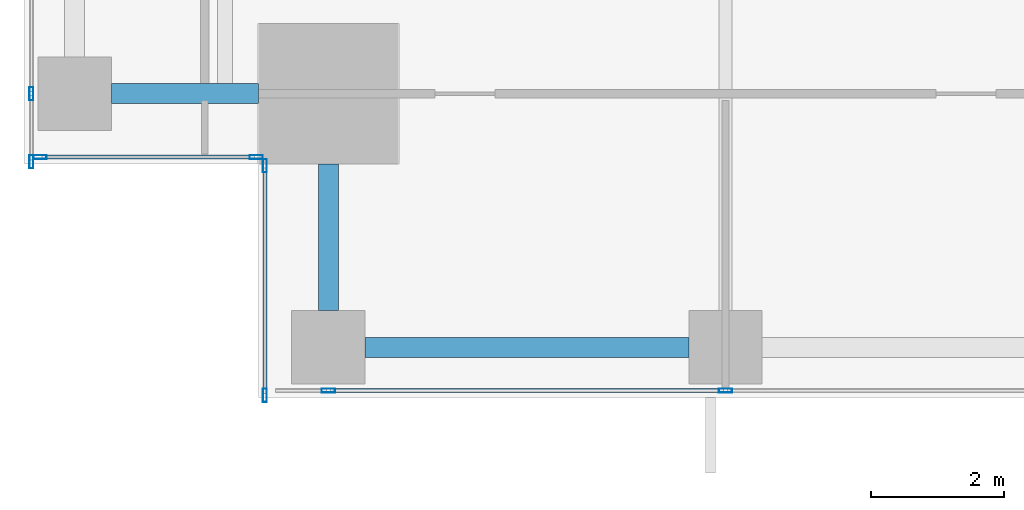
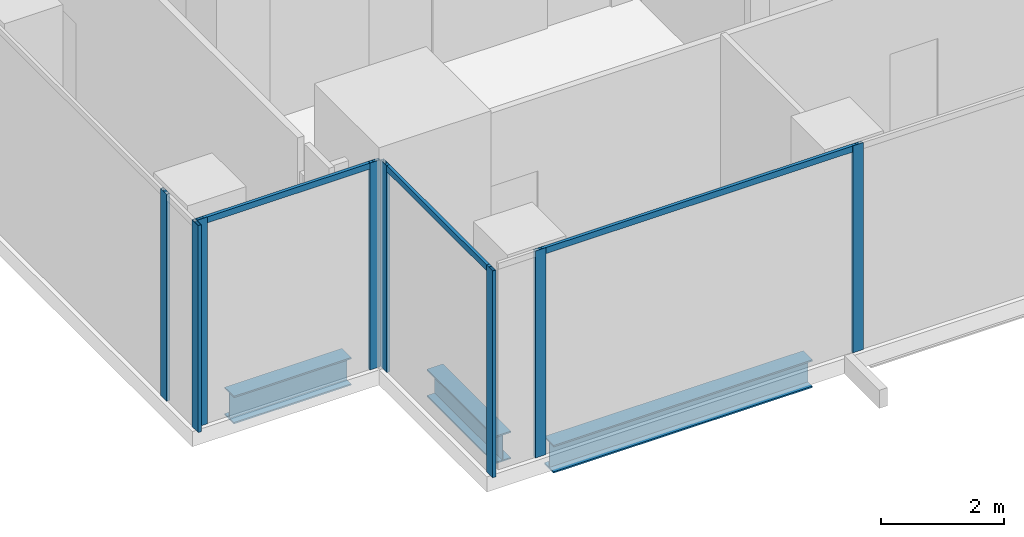
# One storey, part 2 of 34: 11 members, 3 beams, 4 elements without a shape of their own.
"""IFC4 building model written with IfcOpenShell, lengths in metres."""

from ifc_helpers import new_model, si_unit, direction, frame, origin, origin_2d, place, context, subcontext, project, spatial, hollow_rectangle, i_section, extrude, source, transform, mapped, material, material_profile, profile_set, type_object, element, aggregate, save


model = new_model("IFC4")

# Units and contexts
model_context = context("Model", 3, precision=1e-05, world=origin(), true_north=direction((0.0, 1.0)))
body_context = subcontext(model_context, "Body", "Model", "MODEL_VIEW")
ifc_project = project(units=[si_unit("LENGTHUNIT", "METRE"), si_unit("AREAUNIT", "SQUARE_METRE"), si_unit("VOLUMEUNIT", "CUBIC_METRE"), si_unit("PLANEANGLEUNIT", "RADIAN"), si_unit("MASSUNIT", "GRAM", prefix="KILO")], contexts=[model_context])

# Site, building, storey
site_placement = place(None, origin())
site = spatial("IfcSite", under=ifc_project, at=site_placement, CompositionType="ELEMENT")
building_placement = place(site_placement, origin())
building = spatial("IfcBuilding", under=site, at=building_placement, Name="Khomas Fold Tower", CompositionType="ELEMENT")
storey_placement = place(building_placement, frame((0.0, 0.0, 105.89990234375)))
storey = spatial("IfcBuildingStorey", under=building, at=storey_placement, Name="L22", CompositionType="ELEMENT", Elevation=105.89990234375)

# Beams
ifc_material_1 = material(Name="Steel S355", Category="steel")
ifc_material_profile_1 = material_profile(ifc_material_1, i_section(OverallWidth=0.300048828125, OverallDepth=0.550048828125, WebThickness=0.014892578125, FlangeThickness=0.029052734375, at=origin_2d()), Name="HE 550 B")
ifc_profile_set_1 = profile_set([ifc_material_profile_1], Name="Steel S355")
beam_type = type_object("IfcBeamType", Name="HE 550 B spandrel SB2", PredefinedType="SPANDREL", material=ifc_profile_set_1)
shared_shape_1 = source(origin(), body_context, "Body", "SweptSolid", [
    extrude(i_section(OverallWidth=0.300048828125, OverallDepth=0.550048828125, WebThickness=0.014892578125, FlangeThickness=0.029052734375, at=origin_2d()), origin(), (0.0, 0.0, 1.0), 4.849853515625),
])
beam_placement = place(storey_placement, frame((6.60009765625, 2.25, -0.574951171875), z_axis=(1.0, 0.0, 0.0), x_axis=(0.0, 1.0, 0.0)))
element("IfcBeam", 1, at=beam_placement, inside=storey, type_object=beam_type, Name="SB2", PredefinedType="SPANDREL", context=body_context, shape_type="MappedRepresentation", body=[
    mapped(shared_shape_1, transform((0.0, 0.0, 0.0))),
])
shared_shape_2 = source(origin(), body_context, "Body", "SweptSolid", [
    extrude(i_section(OverallWidth=0.300048828125, OverallDepth=0.550048828125, WebThickness=0.014892578125, FlangeThickness=0.029052734375, at=origin_2d()), origin(), (0.0, 0.0, 1.0), 2.199951171875),
])
for number, where, z_axis, x_axis, name in (
    (2, (2.800048828125, 6.050048828125, -0.574951171875), (1.0, 0.0, 0.0), (0.0, 1.0, 0.0), "SB2"),
    (3, (6.050048828125, 2.800048828125, -0.574951171875), (0.0, 1.0, 0.0), (-1.0, 0.0, 0.0), "SB2"),
):
    element("IfcBeam", number, at=place(storey_placement, frame(where, z_axis=z_axis, x_axis=x_axis)), inside=storey, type_object=beam_type, Name=name, PredefinedType="SPANDREL", context=body_context, shape_type="MappedRepresentation", body=[
        mapped(shared_shape_2, transform((0.0, 0.0, 0.0))),
    ])

# Curtain wall, members
ifc_material_2 = material(Name="Aluminium framed double glazing", Category="aluminium")
curtain_wall_type = type_object("IfcCurtainWallType", Name="SK-Unitised clear-glass wall, growing floors CW1", PredefinedType="NOTDEFINED", material=ifc_material_2)
curtain_wall_1_placement = place(storey_placement, origin())
curtain_wall_1 = element("IfcCurtainWall", 4, at=curtain_wall_1_placement, inside=storey, type_object=curtain_wall_type, Name="CW1 run L22 00-0", PredefinedType="NOTDEFINED")
ifc_material_3 = material(Name="Aluminium", Category="aluminium")
ifc_material_profile_2 = material_profile(ifc_material_3, hollow_rectangle(XDim=0.06005859375, YDim=0.199951171875, WallThickness=0.00390625, at=origin_2d()), Name="SK-Unitised clear-glass wall, growing floors mullion CW1-M")
ifc_profile_set_2 = profile_set([ifc_material_profile_2], Name="Aluminium")
member_type_1 = type_object("IfcMemberType", Name="SK-Unitised clear-glass wall, growing floors mullion CW1-M", PredefinedType="MULLION", material=ifc_profile_set_2)
shared_shape_3 = source(origin(), body_context, "Body", "SweptSolid", [
    extrude(hollow_rectangle(XDim=0.06005859375, YDim=0.199951171875, WallThickness=0.00390625, at=origin_2d()), origin(), (0.0, 0.0, 1.0), 4.10009765625),
])
member_1_placement = place(storey_placement, frame((6.050048828125, 1.60009765625, 0.0), z_axis=(0.0, 0.0, 1.0), x_axis=(0.0, 1.0, 0.0)))
member_1 = element("IfcMember", 5, at=member_1_placement, type_object=member_type_1, Name="CW1 mullion 2", PredefinedType="MULLION", context=body_context, shape_type="MappedRepresentation", body=[
    mapped(shared_shape_3, transform((0.0, 0.0, 0.0))),
])
member_2_placement = place(storey_placement, frame((12.0, 1.60009765625, 0.0), z_axis=(0.0, 0.0, 1.0), x_axis=(0.0, 1.0, 0.0)))
member_2 = element("IfcMember", 6, at=member_2_placement, type_object=member_type_1, Name="CW1 mullion 3", PredefinedType="MULLION", context=body_context, shape_type="MappedRepresentation", body=[
    mapped(shared_shape_3, transform((0.0, 0.0, 0.0))),
])

curtain_wall_2_placement = place(storey_placement, origin())
curtain_wall_2 = element("IfcCurtainWall", 7, at=curtain_wall_2_placement, inside=storey, type_object=curtain_wall_type, Name="CW1 run L22 09-0", PredefinedType="NOTDEFINED")
member_3_placement = place(storey_placement, frame((1.60009765625, 6.050048828125, 0.0), z_axis=(0.0, 0.0, 1.0), x_axis=(1.0, 0.0, 0.0)))
member_3 = element("IfcMember", 8, at=member_3_placement, type_object=member_type_1, Name="CW1 mullion 8", PredefinedType="MULLION", context=body_context, shape_type="MappedRepresentation", body=[
    mapped(shared_shape_3, transform((0.0, 0.0, 0.0))),
])
member_4_placement = place(storey_placement, frame((1.60009765625, 5.030029296875, 0.0), z_axis=(0.0, 0.0, 1.0), x_axis=(1.0, 0.0, 0.0)))
member_4 = element("IfcMember", 9, at=member_4_placement, type_object=member_type_1, Name="CW1 mullion 9", PredefinedType="MULLION", context=body_context, shape_type="MappedRepresentation", body=[
    mapped(shared_shape_3, transform((0.0, 0.0, 0.0))),
])
aggregate(curtain_wall_2, [member_3, member_4])

curtain_wall_3_placement = place(storey_placement, origin())
curtain_wall_3 = element("IfcCurtainWall", 10, at=curtain_wall_3_placement, inside=storey, type_object=curtain_wall_type, Name="CW1 corner return L22 10", PredefinedType="NOTDEFINED")
member_5_placement = place(storey_placement, frame((1.72998046875, 5.10009765625, 0.0), z_axis=(0.0, 0.0, 1.0), x_axis=(0.0, 1.0, 0.0)))
member_5 = element("IfcMember", 11, at=member_5_placement, type_object=member_type_1, Name="CW1 mullion 1", PredefinedType="MULLION", context=body_context, shape_type="MappedRepresentation", body=[
    mapped(shared_shape_3, transform((0.0, 0.0, 0.0))),
])
member_6_placement = place(storey_placement, frame((4.969970703125, 5.10009765625, 0.0), z_axis=(0.0, 0.0, 1.0), x_axis=(0.0, 1.0, 0.0)))
member_6 = element("IfcMember", 12, at=member_6_placement, type_object=member_type_1, Name="CW1 mullion 2", PredefinedType="MULLION", context=body_context, shape_type="MappedRepresentation", body=[
    mapped(shared_shape_3, transform((0.0, 0.0, 0.0))),
])

curtain_wall_4_placement = place(storey_placement, origin())
curtain_wall_4 = element("IfcCurtainWall", 13, at=curtain_wall_4_placement, inside=storey, type_object=curtain_wall_type, Name="CW1 corner return L22 11", PredefinedType="NOTDEFINED")
member_7_placement = place(storey_placement, frame((5.10009765625, 4.969970703125, 0.0), z_axis=(0.0, 0.0, 1.0), x_axis=(1.0, 0.0, 0.0)))
member_7 = element("IfcMember", 14, at=member_7_placement, type_object=member_type_1, Name="CW1 mullion 1", PredefinedType="MULLION", context=body_context, shape_type="MappedRepresentation", body=[
    mapped(shared_shape_3, transform((0.0, 0.0, 0.0))),
])
member_8_placement = place(storey_placement, frame((5.10009765625, 1.530029296875, 0.0), z_axis=(0.0, 0.0, 1.0), x_axis=(1.0, 0.0, 0.0)))
member_8 = element("IfcMember", 15, at=member_8_placement, type_object=member_type_1, Name="CW1 mullion 2", PredefinedType="MULLION", context=body_context, shape_type="MappedRepresentation", body=[
    mapped(shared_shape_3, transform((0.0, 0.0, 0.0))),
])

# Member
ifc_material_4 = material(Name="Aluminium", Category="aluminium")
ifc_material_profile_3 = material_profile(ifc_material_4, hollow_rectangle(XDim=0.06005859375, YDim=0.1201171875, WallThickness=0.00390625, at=origin_2d()), Name="SK-Unitised clear-glass wall, growing floors transom CW1-T")
ifc_profile_set_3 = profile_set([ifc_material_profile_3], Name="Aluminium")
member_type_2 = type_object("IfcMemberType", Name="SK-Unitised clear-glass wall, growing floors transom CW1-T", PredefinedType="USERDEFINED", material=ifc_profile_set_3)
shared_shape_4 = source(origin(), body_context, "Body", "SweptSolid", [
    extrude(hollow_rectangle(XDim=0.06005859375, YDim=0.1201171875, WallThickness=0.00390625, at=origin_2d()), origin(), (0.0, 0.0, 1.0), 5.889892578125),
])
member_9_placement = place(storey_placement, frame((6.080078125, 1.60009765625, 4.0400390625), z_axis=(1.0, 0.0, 0.0), x_axis=(0.0, 1.0, 0.0)))
member_9 = element("IfcMember", 16, at=member_9_placement, type_object=member_type_2, Name="CW1 transom 2", ObjectType="TRANSOM", PredefinedType="USERDEFINED", context=body_context, shape_type="MappedRepresentation", body=[
    mapped(shared_shape_4, transform((0.0, 0.0, 0.0))),
])

aggregate(curtain_wall_1, [member_1, member_2, member_9])

shared_shape_5 = source(origin(), body_context, "Body", "SweptSolid", [
    extrude(hollow_rectangle(XDim=0.06005859375, YDim=0.1201171875, WallThickness=0.00390625, at=origin_2d()), origin(), (0.0, 0.0, 1.0), 3.179931640625),
])
member_10_placement = place(storey_placement, frame((1.760009765625, 5.10009765625, 4.0400390625), z_axis=(1.0, 0.0, 0.0), x_axis=(0.0, 1.0, 0.0)))
member_10 = element("IfcMember", 17, at=member_10_placement, type_object=member_type_2, Name="CW1 transom 1", ObjectType="TRANSOM", PredefinedType="USERDEFINED", context=body_context, shape_type="MappedRepresentation", body=[
    mapped(shared_shape_5, transform((0.0, 0.0, 0.0))),
])

aggregate(curtain_wall_3, [member_5, member_6, member_10])

shared_shape_6 = source(origin(), body_context, "Body", "SweptSolid", [
    extrude(hollow_rectangle(XDim=0.06005859375, YDim=0.1201171875, WallThickness=0.00390625, at=origin_2d()), origin(), (0.0, 0.0, 1.0), 3.3798828125),
])
member_11_placement = place(storey_placement, frame((5.10009765625, 4.93994140625, 4.0400390625), z_axis=(0.0, -1.0, 0.0), x_axis=(1.0, 0.0, 0.0)))
member_11 = element("IfcMember", 18, at=member_11_placement, type_object=member_type_2, Name="CW1 transom 1", ObjectType="TRANSOM", PredefinedType="USERDEFINED", context=body_context, shape_type="MappedRepresentation", body=[
    mapped(shared_shape_6, transform((0.0, 0.0, 0.0))),
])

aggregate(curtain_wall_4, [member_7, member_8, member_11])

save(model, "model.ifc")
